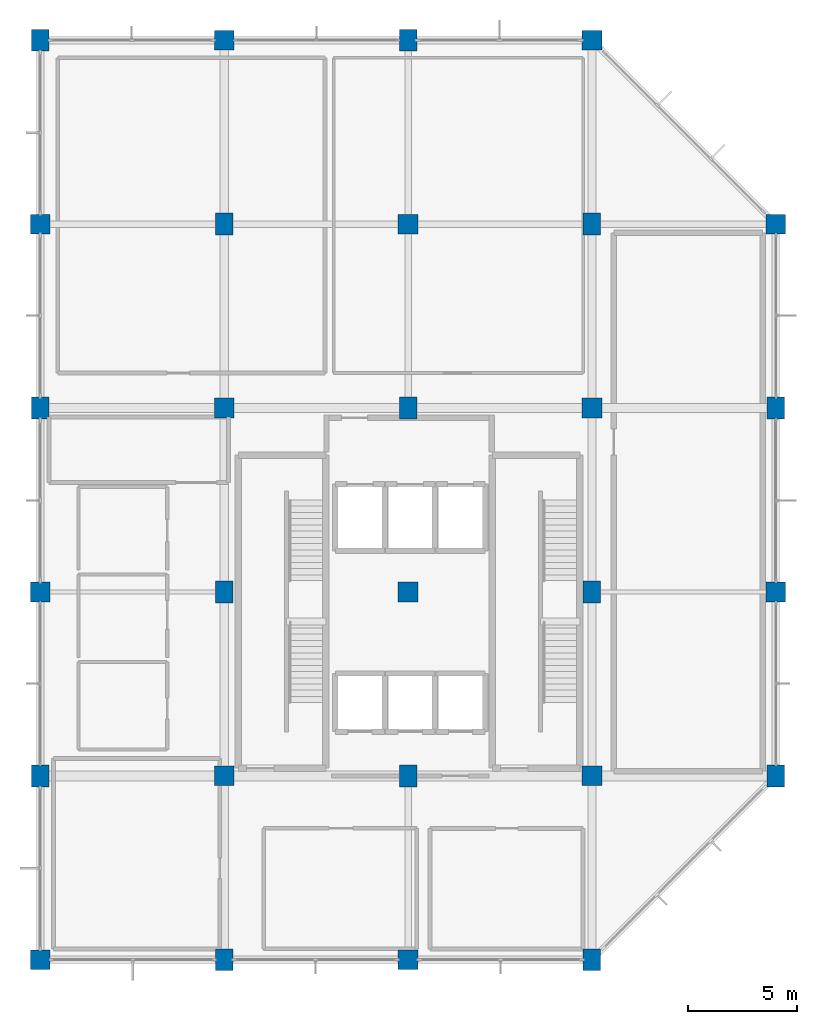
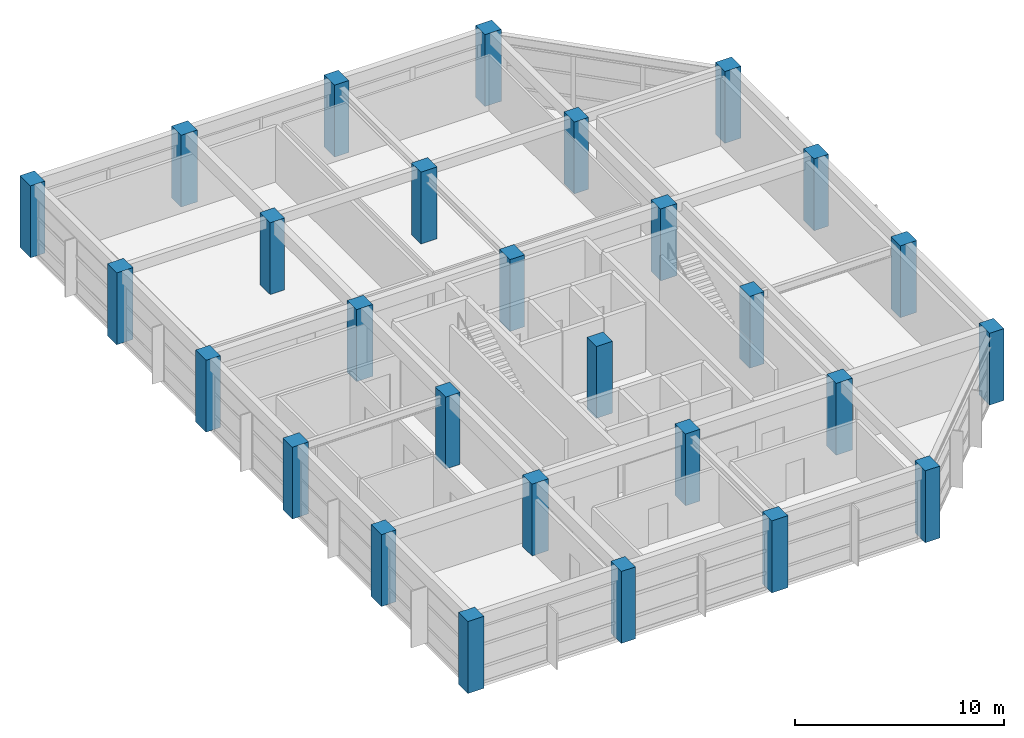
# One storey, part 1 of 12: 28 columns.
"""IFC4 building model written with IfcOpenShell, lengths in metres."""

from ifc_helpers import new_model, si_unit, direction, frame, origin, origin_2d, place, context, subcontext, project, spatial, rectangle, extrude, material, material_profile, profile_set, type_object, element, save


model = new_model("IFC4")

# Units and contexts
model_context = context("Model", 3, precision=1e-05, world=origin(), true_north=direction((0.0, 1.0)))
body_context = subcontext(model_context, "Body", "Model", "MODEL_VIEW")
ifc_project = project(units=[si_unit("LENGTHUNIT", "METRE"), si_unit("AREAUNIT", "SQUARE_METRE"), si_unit("VOLUMEUNIT", "CUBIC_METRE"), si_unit("PLANEANGLEUNIT", "RADIAN"), si_unit("MASSUNIT", "GRAM", prefix="KILO")], contexts=[model_context])

# Site, building, storey
site_placement = place(None, origin())
site = spatial("IfcSite", under=ifc_project, at=site_placement, CompositionType="ELEMENT")
building_placement = place(site_placement, origin())
building = spatial("IfcBuilding", under=site, at=building_placement, Name="Xuanlan Plaza Opera House", CompositionType="ELEMENT")
storey_placement = place(building_placement, frame((0.0, 0.0, 61.5)))
storey = spatial("IfcBuildingStorey", under=building, at=storey_placement, Name="L14", CompositionType="ELEMENT", Elevation=61.5)

# Columns
ifc_material = material(Name="Concrete C50", Category="concrete")
ifc_material_profile_1 = material_profile(ifc_material, rectangle(XDim=0.89990234375, YDim=0.89990234375, at=origin_2d()), Name="RC-COL 900x900")
ifc_profile_set_1 = profile_set([ifc_material_profile_1], Name="Concrete C50")
column_type_1 = type_object("IfcColumnType", Name="STR-COL-C-05", PredefinedType="COLUMN", material=ifc_profile_set_1)
for number, where, z_axis, x_axis, name in (
    (1, (126.0, 42.0, 0.0), (0.0, 0.0, 1.0), (1.0, 0.0, 0.0), "Column L14 16-F"),
    (2, (126.0, 58.800048828125, 0.0), (0.0, 0.0, 1.0), (1.0, 0.0, 0.0), "Column L14 16-H"),
    (3, (126.0, 75.60009765625, 0.0), (0.0, 0.0, 1.0), (1.0, 0.0, 0.0), "Column L14 16-J"),
    (4, (134.39990234375, 50.39990234375, 0.0), (0.0, 0.0, 1.0), (1.0, 0.0, 0.0), "Column L14 17-G"),
    (5, (134.39990234375, 67.199951171875, 0.0), (0.0, 0.0, 1.0), (1.0, 0.0, 0.0), "Column L14 17-I"),
    (6, (134.39990234375, 84.0, 0.0), (0.0, 0.0, 1.0), (1.0, 0.0, 0.0), "Column L14 17-K"),
    (7, (142.800048828125, 42.0, 0.0), (0.0, 0.0, 1.0), (1.0, 0.0, 0.0), "Column L14 18-F"),
    (8, (142.800048828125, 58.800048828125, 0.0), (0.0, 0.0, 1.0), (1.0, 0.0, 0.0), "Column L14 18-H"),
    (9, (142.800048828125, 75.60009765625, 0.0), (0.0, 0.0, 1.0), (1.0, 0.0, 0.0), "Column L14 18-J"),
    (10, (151.199951171875, 50.39990234375, 0.0), (0.0, 0.0, 1.0), (1.0, 0.0, 0.0), "Column L14 19-G"),
    (11, (151.199951171875, 67.199951171875, 0.0), (0.0, 0.0, 1.0), (1.0, 0.0, 0.0), "Column L14 19-I"),
    (12, (151.199951171875, 84.0, 0.0), (0.0, 0.0, 1.0), (1.0, 0.0, 0.0), "Column L14 19-K"),
    (13, (159.60009765625, 58.800048828125, 0.0), (0.0, 0.0, 1.0), (1.0, 0.0, 0.0), "Column L14 20-H"),
    (14, (159.60009765625, 75.60009765625, 0.0), (0.0, 0.0, 1.0), (1.0, 0.0, 0.0), "Column L14 20-J"),
):
    element("IfcColumn", number, at=place(storey_placement, frame(where, z_axis=z_axis, x_axis=x_axis)), inside=storey, type_object=column_type_1, Name=name, PredefinedType="COLUMN", context=body_context, shape_type="SweptSolid", body=[
        extrude(rectangle(XDim=0.89990234375, YDim=0.89990234375, at=origin_2d()), origin(), (0.0, 0.0, 1.0), 4.199951171875),
    ])
ifc_material_profile_2 = material_profile(ifc_material, rectangle(XDim=0.800048828125, YDim=1.0, at=origin_2d()), Name="RC-COL 800x1000")
ifc_profile_set_2 = profile_set([ifc_material_profile_2], Name="Concrete C50")
column_type_2 = type_object("IfcColumnType", Name="STR-COL-C-09", PredefinedType="COLUMN", material=ifc_profile_set_2)
for number, where, z_axis, x_axis, name in (
    (15, (126.0, 50.39990234375, 0.0), (0.0, 0.0, 1.0), (1.0, 0.0, 0.0), "Column L14 16-G"),
    (16, (126.0, 67.199951171875, 0.0), (0.0, 0.0, 1.0), (1.0, 0.0, 0.0), "Column L14 16-I"),
    (17, (126.0, 84.0, 0.0), (0.0, 0.0, 1.0), (1.0, 0.0, 0.0), "Column L14 16-K"),
    (18, (134.39990234375, 42.0, 0.0), (0.0, 0.0, 1.0), (1.0, 0.0, 0.0), "Column L14 17-F"),
    (19, (134.39990234375, 58.800048828125, 0.0), (0.0, 0.0, 1.0), (1.0, 0.0, 0.0), "Column L14 17-H"),
    (20, (134.39990234375, 75.60009765625, 0.0), (0.0, 0.0, 1.0), (1.0, 0.0, 0.0), "Column L14 17-J"),
    (21, (142.800048828125, 50.39990234375, 0.0), (0.0, 0.0, 1.0), (1.0, 0.0, 0.0), "Column L14 18-G"),
    (22, (142.800048828125, 67.199951171875, 0.0), (0.0, 0.0, 1.0), (1.0, 0.0, 0.0), "Column L14 18-I"),
    (23, (142.800048828125, 84.0, 0.0), (0.0, 0.0, 1.0), (1.0, 0.0, 0.0), "Column L14 18-K"),
    (24, (151.199951171875, 42.0, 0.0), (0.0, 0.0, 1.0), (1.0, 0.0, 0.0), "Column L14 19-F"),
    (25, (151.199951171875, 58.800048828125, 0.0), (0.0, 0.0, 1.0), (1.0, 0.0, 0.0), "Column L14 19-H"),
    (26, (151.199951171875, 75.60009765625, 0.0), (0.0, 0.0, 1.0), (1.0, 0.0, 0.0), "Column L14 19-J"),
    (27, (159.60009765625, 50.39990234375, 0.0), (0.0, 0.0, 1.0), (1.0, 0.0, 0.0), "Column L14 20-G"),
    (28, (159.60009765625, 67.199951171875, 0.0), (0.0, 0.0, 1.0), (1.0, 0.0, 0.0), "Column L14 20-I"),
):
    element("IfcColumn", number, at=place(storey_placement, frame(where, z_axis=z_axis, x_axis=x_axis)), inside=storey, type_object=column_type_2, Name=name, PredefinedType="COLUMN", context=body_context, shape_type="SweptSolid", body=[
        extrude(rectangle(XDim=0.800048828125, YDim=1.0, at=origin_2d()), origin(), (0.0, 0.0, 1.0), 4.199951171875),
    ])

save(model, "model.ifc")
